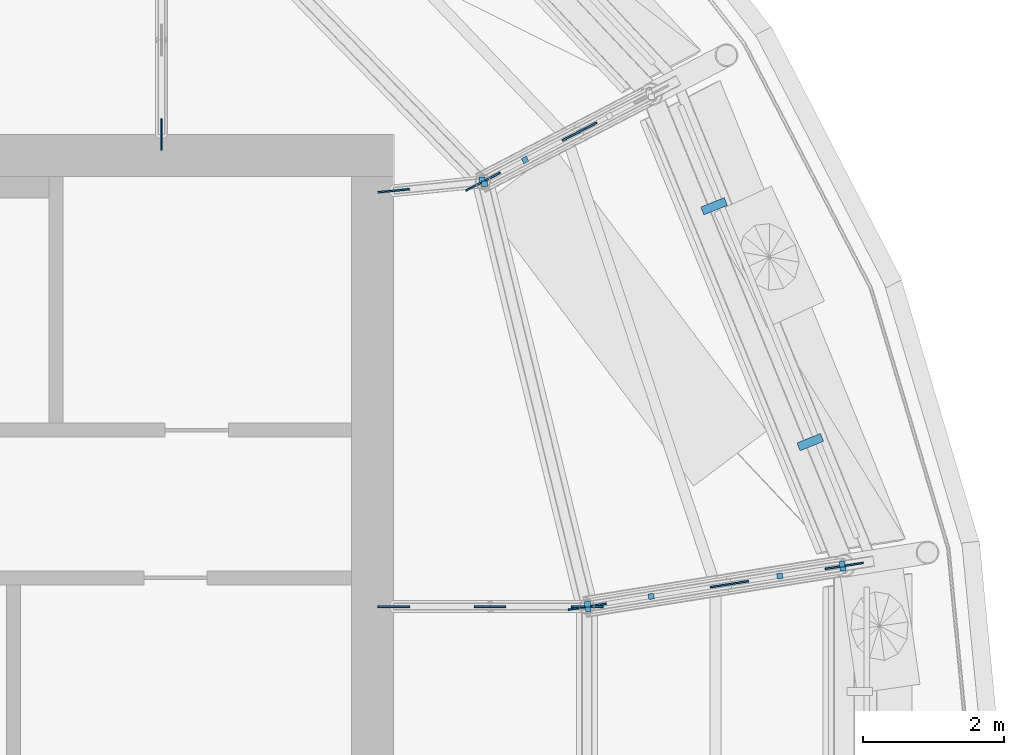
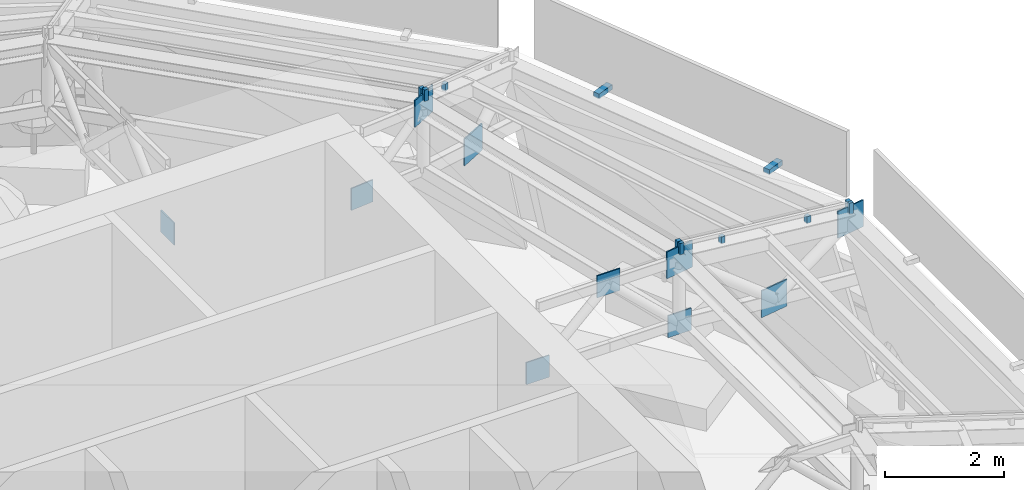
# One storey, part 25 of 40: 21 discrete accessories.
"""IFC4 building model written with IfcOpenShell, lengths in metres."""

from ifc_helpers import new_model, si_unit, direction, frame, origin, origin_2d, place, context, subcontext, project, spatial, rectangle, extrude, material, type_object, element, save


model = new_model("IFC4")

# Units and contexts
model_context = context("Model", 3, precision=1e-05, world=origin(), true_north=direction((0.0, 1.0)))
body_context = subcontext(model_context, "Body", "Model", "MODEL_VIEW")
ifc_project = project(units=[si_unit("LENGTHUNIT", "METRE"), si_unit("AREAUNIT", "SQUARE_METRE"), si_unit("VOLUMEUNIT", "CUBIC_METRE"), si_unit("PLANEANGLEUNIT", "RADIAN"), si_unit("MASSUNIT", "GRAM", prefix="KILO")], contexts=[model_context])

# Site, building, storey
site_placement = place(None, origin())
site = spatial("IfcSite", under=ifc_project, at=site_placement, CompositionType="ELEMENT")
building_placement = place(site_placement, origin())
building = spatial("IfcBuilding", under=site, at=building_placement, Name="Taillehof Tower", CompositionType="ELEMENT")
storey_placement = place(building_placement, frame((0.0, 0.0, 275.199951171875)))
storey = spatial("IfcBuildingStorey", under=building, at=storey_placement, Name="L77", CompositionType="ELEMENT", Elevation=275.199951171875)

# Discrete accessories
ifc_material_1 = material(Name="Steel S460M", Category="steel")
discrete_accessory_type_1 = type_object("IfcDiscreteAccessoryType", Name="Steel bracket", PredefinedType="BRACKET", material=ifc_material_1)
for number, where, z_axis, x_axis, name in (
    (1, (21.485595703125, 3.72607421875, 4.64013671875), (0.0, 0.0, 1.0), (-0.987635589839, -0.15676715754, 0.0), "Canopy glazing seat"),
    (2, (19.658447265625, 3.43603515625, 5.0400390625), (0.0, 0.0, 1.0), (-0.987635589839, -0.15676715754, 0.0), "Canopy glazing seat"),
):
    element("IfcDiscreteAccessory", number, at=place(storey_placement, frame(where, z_axis=z_axis, x_axis=x_axis)), inside=storey, type_object=discrete_accessory_type_1, Name=name, PredefinedType="BRACKET", context=body_context, shape_type="SweptSolid", body=[
        extrude(rectangle(XDim=0.080078125, YDim=0.080078125, at=origin_2d()), origin(), (0.0, 0.0, 1.0), 0.142578125),
    ])
for number, where, z_axis, x_axis, name in (
    (3, (22.374267578125, 3.895751953125, 4.44384765625), (0.0, 0.0, 1.0), (1.0, 0.0, 0.0), "Canopy glazing seat"),
    (4, (17.2900390625, 9.2998046875, 5.23681640625), (0.0, 0.0, 1.0), (1.0, 0.0, 0.0), "Canopy glazing seat"),
    (5, (18.752685546875, 3.3251953125, 5.23681640625), (0.0, 0.0, 1.0), (1.0, 0.0, 0.0), "Canopy glazing seat"),
):
    element("IfcDiscreteAccessory", number, at=place(storey_placement, frame(where, z_axis=z_axis, x_axis=x_axis)), inside=storey, type_object=discrete_accessory_type_1, Name=name, PredefinedType="BRACKET", context=body_context, shape_type="SweptSolid", body=[
        extrude(rectangle(XDim=0.080078125, YDim=0.080078125, at=origin_2d()), origin(), (0.0, 0.0, 1.0), 0.234619140625),
    ])
discrete_accessory_1_placement = place(storey_placement, frame((17.865966796875, 9.637451171875, 5.0400390625), z_axis=(0.0, 0.0, 1.0), x_axis=(-0.887204977416, -0.461375474044, 0.0)))
element("IfcDiscreteAccessory", 6, at=discrete_accessory_1_placement, inside=storey, type_object=discrete_accessory_type_1, Name="Canopy glazing seat", PredefinedType="BRACKET", context=body_context, shape_type="SweptSolid", body=[
    extrude(rectangle(XDim=0.080078125, YDim=0.080078125, at=origin_2d()), origin(), (0.0, 0.0, 1.0), 0.142578125),
])
for number, where, z_axis, x_axis, name in (
    (7, (17.25439453125, 9.358642578125, 5.23583984375), (0.0, 0.0, 1.0), (1.0, 0.0, 0.0), "Canopy glazing seat"),
    (8, (22.383056640625, 3.83984375, 4.443359375), (0.0, 0.0, 1.0), (1.0, 0.0, 0.0), "Canopy glazing seat"),
    (9, (18.76318359375, 3.260986328125, 5.23583984375), (0.0, 0.0, 1.0), (1.0, 0.0, 0.0), "Canopy glazing seat"),
):
    element("IfcDiscreteAccessory", number, at=place(storey_placement, frame(where, z_axis=z_axis, x_axis=x_axis)), inside=storey, type_object=discrete_accessory_type_1, Name=name, PredefinedType="BRACKET", context=body_context, shape_type="SweptSolid", body=[
        extrude(rectangle(XDim=0.080078125, YDim=0.080078125, at=origin_2d()), origin(), (0.0, 0.0, 1.0), 0.234619140625),
    ])
for number, where, z_axis, x_axis, name in (
    (10, (21.9189453125, 5.628662109375, 4.429931640625), (0.0, 0.0, 1.0), (0.927085751017, 0.374849316741, 0.0), "Crown fascia bracket"),
    (11, (20.551025390625, 8.979248046875, 4.429931640625), (0.0, 0.0, 1.0), (0.927085751017, 0.374849316741, 0.0), "Crown fascia bracket"),
):
    element("IfcDiscreteAccessory", number, at=place(storey_placement, frame(where, z_axis=z_axis, x_axis=x_axis)), inside=storey, type_object=discrete_accessory_type_1, Name=name, PredefinedType="BRACKET", context=body_context, shape_type="SweptSolid", body=[
        extrude(rectangle(XDim=0.360107421875, YDim=0.1201171875, at=origin_2d()), origin(), (0.0, 0.0, 1.0), 0.10009765625),
    ])
ifc_material_2 = material(Name="Steel S460M", Category="steel")
discrete_accessory_type_2 = type_object("IfcDiscreteAccessoryType", Name="Steel gusset plate", PredefinedType="BRACKET", material=ifc_material_2)
for number, where, z_axis, x_axis, name in (
    (12, (12.699951171875, 10.0, 3.5751953125), (0.0, 0.0, 1.0), (0.0, -1.0, 0.0), "Gusset plate 397"),
    (13, (16.0, 3.2900390625, 3.5751953125), (0.0, 0.0, 1.0), (-1.0, 0.0, 0.0), "Gusset plate 411"),
    (14, (16.0, 9.199951171875, 3.5751953125), (0.0, 0.0, 1.0), (-0.99505955611, -0.099279805573, 0.0), "Gusset plate 412"),
):
    element("IfcDiscreteAccessory", number, at=place(storey_placement, frame(where, z_axis=z_axis, x_axis=x_axis)), inside=storey, type_object=discrete_accessory_type_2, Name=name, PredefinedType="BRACKET", context=body_context, shape_type="SweptSolid", body=[
        extrude(rectangle(XDim=0.449951171875, YDim=0.02490234375, at=origin_2d()), origin(), (0.0, 0.0, 1.0), 0.449951171875),
    ])
discrete_accessory_2_placement = place(storey_placement, frame((17.27001953125, 9.330078125, 4.8251953125), z_axis=(0.0, 0.0, 1.0), x_axis=(-0.887313661822, -0.461166418491, 0.0)))
element("IfcDiscreteAccessory", 15, at=discrete_accessory_2_placement, inside=storey, type_object=discrete_accessory_type_2, Name="Gusset plate 413", PredefinedType="BRACKET", context=body_context, shape_type="SweptSolid", body=[
    extrude(rectangle(XDim=0.550048828125, YDim=0.02490234375, at=origin_2d()), origin(), (0.0, 0.0, 1.0), 0.550048828125),
])
discrete_accessory_3_placement = place(storey_placement, frame((17.3701171875, 3.2900390625, 4.875), z_axis=(0.0, 0.0, 1.0), x_axis=(-1.0, 0.0, 0.0)))
element("IfcDiscreteAccessory", 16, at=discrete_accessory_3_placement, inside=storey, type_object=discrete_accessory_type_2, Name="Gusset plate 415", PredefinedType="BRACKET", context=body_context, shape_type="SweptSolid", body=[
    extrude(rectangle(XDim=0.449951171875, YDim=0.02490234375, at=origin_2d()), origin(), (0.0, 0.0, 1.0), 0.449951171875),
])
discrete_accessory_4_placement = place(storey_placement, frame((18.639892578125, 10.0400390625, 3.125), z_axis=(0.0, 0.0, 1.0), x_axis=(-0.887313661822, -0.461166418491, 0.0)))
element("IfcDiscreteAccessory", 17, at=discrete_accessory_4_placement, inside=storey, type_object=discrete_accessory_type_2, Name="Gusset plate 417", PredefinedType="BRACKET", context=body_context, shape_type="SweptSolid", body=[
    extrude(rectangle(XDim=0.550048828125, YDim=0.02490234375, at=origin_2d()), origin(), (0.0, 0.0, 1.0), 0.550048828125),
])
discrete_accessory_5_placement = place(storey_placement, frame((18.75, 3.2900390625, 3.5751953125), z_axis=(0.0, 0.0, 1.0), x_axis=(-1.0, 0.0, 0.0)))
element("IfcDiscreteAccessory", 18, at=discrete_accessory_5_placement, inside=storey, type_object=discrete_accessory_type_2, Name="Gusset plate 420", PredefinedType="BRACKET", context=body_context, shape_type="SweptSolid", body=[
    extrude(rectangle(XDim=0.449951171875, YDim=0.02490234375, at=origin_2d()), origin(), (0.0, 0.0, 1.0), 0.449951171875),
])
for number, where, z_axis, x_axis, name in (
    (19, (18.75, 3.2900390625, 4.8251953125), (0.0, 0.0, 1.0), (-0.987635863448, -0.15676543379, 0.0), "Gusset plate 421"),
    (20, (20.77001953125, 3.610107421875, 3.125), (0.0, 0.0, 1.0), (-0.987635042612, -0.156770605038, 0.0), "Gusset plate 426"),
    (21, (22.39990234375, 3.8701171875, 4.02490234375), (0.0, 0.0, 1.0), (-0.987635042612, -0.156770605038, 0.0), "Gusset plate 428"),
):
    element("IfcDiscreteAccessory", number, at=place(storey_placement, frame(where, z_axis=z_axis, x_axis=x_axis)), inside=storey, type_object=discrete_accessory_type_2, Name=name, PredefinedType="BRACKET", context=body_context, shape_type="SweptSolid", body=[
        extrude(rectangle(XDim=0.550048828125, YDim=0.02490234375, at=origin_2d()), origin(), (0.0, 0.0, 1.0), 0.550048828125),
    ])

save(model, "model.ifc")
